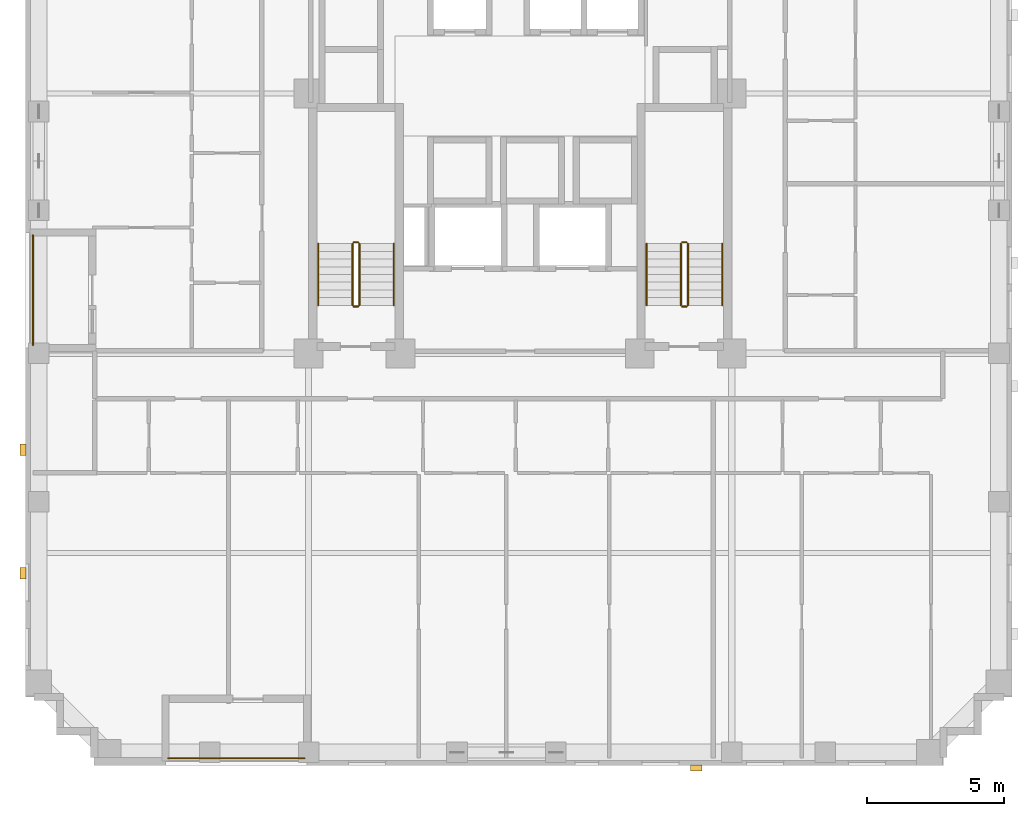
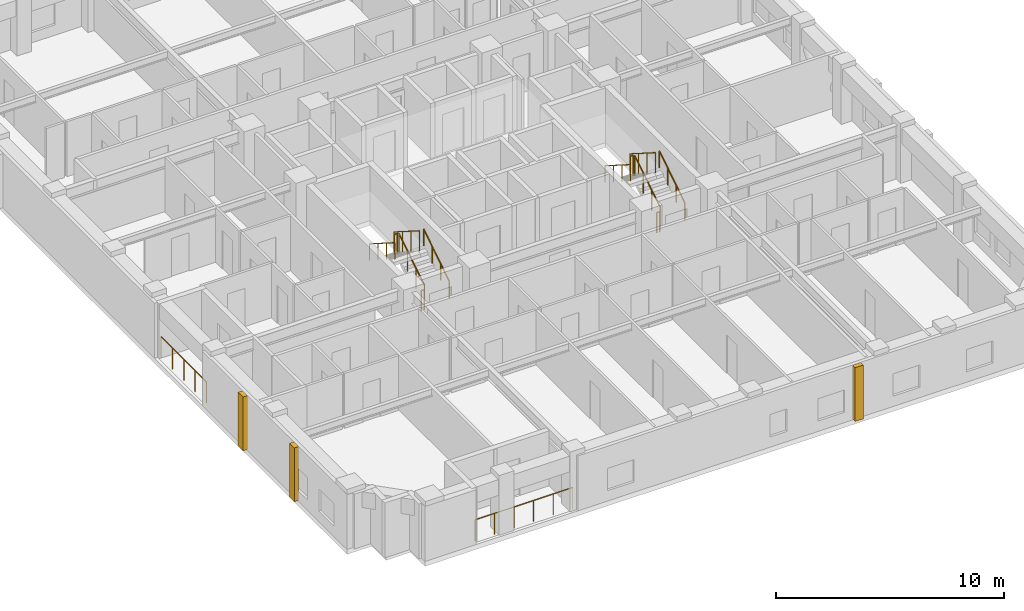
# One storey, part 11 of 12: 14 railings, 3 coverings.
"""IFC4 building model written with IfcOpenShell, lengths in metres."""

from ifc_helpers import new_model, si_unit, derived_unit, direction, frame, origin, origin_2d, place, context, subcontext, project, spatial, rectangle, circle, extrude, material, layer, layer_set, type_object, element, save


model = new_model("IFC4")

# Units and contexts
model_context = context("Model", 3, precision=1e-05, world=origin(), true_north=direction((0.0, 1.0)))
body_context = subcontext(model_context, "Body", "Model", "MODEL_VIEW")
ifc_project = project(units=[si_unit("LENGTHUNIT", "METRE"), si_unit("AREAUNIT", "SQUARE_METRE"), si_unit("VOLUMEUNIT", "CUBIC_METRE"), si_unit("PLANEANGLEUNIT", "RADIAN"), si_unit("MASSUNIT", "GRAM", prefix="KILO"), derived_unit("THERMALTRANSMITTANCEUNIT", [(si_unit("MASSUNIT", "GRAM", prefix="KILO"), 1), (si_unit("TIMEUNIT", "SECOND"), -3), (si_unit("THERMODYNAMICTEMPERATUREUNIT", "KELVIN"), -1)])], contexts=[model_context])

# Site, building, storey
site_placement = place(None, origin())
site = spatial("IfcSite", under=ifc_project, at=site_placement, CompositionType="ELEMENT")
building_placement = place(site_placement, origin())
building = spatial("IfcBuilding", under=site, at=building_placement, Name="Korrvale Station Residences", CompositionType="ELEMENT")
storey_placement = place(building_placement, frame((0.0, 0.0, 103.89990234375)))
storey = spatial("IfcBuildingStorey", under=building, at=storey_placement, Name="L29", CompositionType="ELEMENT", Elevation=103.89990234375)

# Coverings
ifc_material_1 = material(Name="Architectural precast concrete C45/55", Category="concrete")
ifc_layer = layer(ifc_material_1, 0.219970703125, Name="Architectural precast concrete C45/55")
ifc_layer_set = layer_set([ifc_layer], Name="Architectural precast concrete C45/55")
covering_type = type_object("IfcCoveringType", Name="COV-PIER-400", PredefinedType="CLADDING", material=ifc_layer_set)
for number, where, z_axis, x_axis, name in (
    (1, (31.89990234375, -0.090087890625, 0.025390625), (0.0, 0.0, 1.0), (1.0, 0.0, 0.0), "L29 Architectural Precast Facade Pier 01"),
    (2, (7.409912109375, 7.0, 0.025390625), (0.0, 0.0, 1.0), (0.0, 1.0, 0.0), "L29 Architectural Precast Facade Pier 04"),
    (3, (7.409912109375, 11.5, 0.025390625), (0.0, 0.0, 1.0), (0.0, 1.0, 0.0), "L29 Architectural Precast Facade Pier 05"),
):
    element("IfcCovering", number, at=place(storey_placement, frame(where, z_axis=z_axis, x_axis=x_axis)), inside=storey, type_object=covering_type, Name=name, PredefinedType="CLADDING", context=body_context, shape_type="SweptSolid", body=[
        extrude(rectangle(XDim=0.419921875, YDim=0.219970703125, at=origin_2d()), origin(), (0.0, 0.0, 1.0), 2.889892578125),
    ])

# Railings
ifc_material_2 = material(Name="Powder-coated aluminium picket loggia guard", Category="aluminium")
railing_type_1 = type_object("IfcRailingType", Name="RLG-BAL-1150", PredefinedType="GUARDRAIL", material=ifc_material_2)
railing_1_placement = place(storey_placement, frame((12.699951171875, 0.27001953125, 0.0)))
element("IfcRailing", 4, at=railing_1_placement, inside=storey, type_object=railing_type_1, Name="L29 Recessed Loggia Guardrail BAL-L29-S1", PredefinedType="GUARDRAIL", context=body_context, shape_type="SweptSolid", body=[
    extrude(circle(Radius=0.02392578125, at=origin_2d()), frame((0.0, 0.0, 1.1259765625), z_axis=(1.0, 0.0, 0.0), x_axis=(0.0, 1.0, 0.0)), (0.0, 0.0, 1.0), 4.949951171875),
    extrude(circle(Radius=0.02099609375, at=origin_2d()), origin(), (0.0, 0.0, 1.0), 1.101806640625),
    extrude(circle(Radius=0.02099609375, at=origin_2d()), frame((0.989990234375, 0.0, 0.0)), (0.0, 0.0, 1.0), 1.101806640625),
    extrude(circle(Radius=0.02099609375, at=origin_2d()), frame((1.97998046875, 0.0, 0.0)), (0.0, 0.0, 1.0), 1.101806640625),
    extrude(circle(Radius=0.02099609375, at=origin_2d()), frame((2.969970703125, 0.0, 0.0)), (0.0, 0.0, 1.0), 1.101806640625),
    extrude(circle(Radius=0.02099609375, at=origin_2d()), frame((3.9599609375, 0.0, 0.0)), (0.0, 0.0, 1.0), 1.101806640625),
    extrude(circle(Radius=0.02099609375, at=origin_2d()), frame((4.949951171875, 0.0, 0.0)), (0.0, 0.0, 1.0), 1.101806640625),
])
railing_2_placement = place(storey_placement, frame((7.77001953125, 15.300048828125, 0.0)))
element("IfcRailing", 5, at=railing_2_placement, inside=storey, type_object=railing_type_1, Name="L29 Recessed Loggia Guardrail BAL-L29-W1", PredefinedType="GUARDRAIL", context=body_context, shape_type="SweptSolid", body=[
    extrude(circle(Radius=0.02392578125, at=origin_2d()), frame((0.0, 0.0, 1.1259765625), z_axis=(0.0, 1.0, 0.0), x_axis=(-1.0, 0.0, 0.0)), (0.0, 0.0, 1.0), 4.0),
    extrude(circle(Radius=0.02099609375, at=origin_2d()), origin(), (0.0, 0.0, 1.0), 1.101806640625),
    extrude(circle(Radius=0.02099609375, at=origin_2d()), frame((0.0, 1.0, 0.0)), (0.0, 0.0, 1.0), 1.101806640625),
    extrude(circle(Radius=0.02099609375, at=origin_2d()), frame((0.0, 2.0, 0.0)), (0.0, 0.0, 1.0), 1.101806640625),
    extrude(circle(Radius=0.02099609375, at=origin_2d()), frame((0.0, 3.0, 0.0)), (0.0, 0.0, 1.0), 1.101806640625),
    extrude(circle(Radius=0.02099609375, at=origin_2d()), frame((0.0, 4.0, 0.0)), (0.0, 0.0, 1.0), 1.101806640625),
])
ifc_material_3 = material(Name="Brushed stainless-steel continuous stair handrail", Category="steel")
railing_type_2 = type_object("IfcRailingType", Name="RLG-SHND-900", PredefinedType="HANDRAIL", material=ifc_material_3)
railing_3_placement = place(storey_placement, frame((20.89990234375, 16.75, 0.177978515625)))
element("IfcRailing", 6, at=railing_3_placement, inside=storey, type_object=railing_type_2, Name="L29 ST-1 stair handrail 1", PredefinedType="HANDRAIL", context=body_context, shape_type="SweptSolid", body=[
    extrude(circle(Radius=0.02392578125, at=origin_2d()), frame((0.0, 0.0, 0.8759765625), z_axis=(0.0, 0.8442293374, 0.53598211339), x_axis=(-1.0, 0.0, 0.0)), (0.0, 0.0, 1.0), 2.6533203125),
    extrude(circle(Radius=0.02099609375, at=origin_2d()), origin(), (0.0, 0.0, 1.0), 0.851806640625),
    extrude(circle(Radius=0.02099609375, at=origin_2d()), frame((0.0, 0.74658203125, 0.47412109375)), (0.0, 0.0, 1.0), 0.851806640625),
    extrude(circle(Radius=0.02099609375, at=origin_2d()), frame((0.0, 1.493408203125, 0.947998046875)), (0.0, 0.0, 1.0), 0.851806640625),
    extrude(circle(Radius=0.02099609375, at=origin_2d()), frame((0.0, 2.239990234375, 1.422119140625)), (0.0, 0.0, 1.0), 0.851806640625),
])
railing_4_placement = place(storey_placement, frame((18.14990234375, 18.989990234375, 1.77783203125)))
element("IfcRailing", 7, at=railing_4_placement, inside=storey, type_object=railing_type_2, Name="L29 ST-1 stair handrail 2", PredefinedType="HANDRAIL", context=body_context, shape_type="SweptSolid", body=[
    extrude(circle(Radius=0.02392578125, at=origin_2d()), frame((0.0, 0.0, 0.8759765625), z_axis=(0.0, -0.84418770128, 0.536047689118), x_axis=(1.0, 0.0, 0.0)), (0.0, 0.0, 1.0), 2.6533203125),
    extrude(circle(Radius=0.02099609375, at=origin_2d()), origin(), (0.0, 0.0, 1.0), 0.851806640625),
    extrude(circle(Radius=0.02099609375, at=origin_2d()), frame((0.0, -0.74658203125, 0.47412109375)), (0.0, 0.0, 1.0), 0.851806640625),
    extrude(circle(Radius=0.02099609375, at=origin_2d()), frame((0.0, -1.493408203125, 0.9482421875)), (0.0, 0.0, 1.0), 0.851806640625),
    extrude(circle(Radius=0.02099609375, at=origin_2d()), frame((0.0, -2.239990234375, 1.42236328125)), (0.0, 0.0, 1.0), 0.851806640625),
])
railing_5_placement = place(storey_placement, frame((32.85009765625, 16.75, 0.177978515625)))
element("IfcRailing", 8, at=railing_5_placement, inside=storey, type_object=railing_type_2, Name="L29 ST-2 stair handrail 1", PredefinedType="HANDRAIL", context=body_context, shape_type="SweptSolid", body=[
    extrude(circle(Radius=0.02392578125, at=origin_2d()), frame((0.0, 0.0, 0.8759765625), z_axis=(0.0, 0.8442293374, 0.53598211339), x_axis=(-1.0, 0.0, 0.0)), (0.0, 0.0, 1.0), 2.6533203125),
    extrude(circle(Radius=0.02099609375, at=origin_2d()), origin(), (0.0, 0.0, 1.0), 0.851806640625),
    extrude(circle(Radius=0.02099609375, at=origin_2d()), frame((0.0, 0.74658203125, 0.47412109375)), (0.0, 0.0, 1.0), 0.851806640625),
    extrude(circle(Radius=0.02099609375, at=origin_2d()), frame((0.0, 1.493408203125, 0.947998046875)), (0.0, 0.0, 1.0), 0.851806640625),
    extrude(circle(Radius=0.02099609375, at=origin_2d()), frame((0.0, 2.239990234375, 1.422119140625)), (0.0, 0.0, 1.0), 0.851806640625),
])
railing_6_placement = place(storey_placement, frame((30.10009765625, 18.989990234375, 1.77783203125)))
element("IfcRailing", 9, at=railing_6_placement, inside=storey, type_object=railing_type_2, Name="L29 ST-2 stair handrail 2", PredefinedType="HANDRAIL", context=body_context, shape_type="SweptSolid", body=[
    extrude(circle(Radius=0.02392578125, at=origin_2d()), frame((0.0, 0.0, 0.8759765625), z_axis=(0.0, -0.84418770128, 0.536047689118), x_axis=(1.0, 0.0, 0.0)), (0.0, 0.0, 1.0), 2.6533203125),
    extrude(circle(Radius=0.02099609375, at=origin_2d()), origin(), (0.0, 0.0, 1.0), 0.851806640625),
    extrude(circle(Radius=0.02099609375, at=origin_2d()), frame((0.0, -0.74658203125, 0.47412109375)), (0.0, 0.0, 1.0), 0.851806640625),
    extrude(circle(Radius=0.02099609375, at=origin_2d()), frame((0.0, -1.493408203125, 0.9482421875)), (0.0, 0.0, 1.0), 0.851806640625),
    extrude(circle(Radius=0.02099609375, at=origin_2d()), frame((0.0, -2.239990234375, 1.42236328125)), (0.0, 0.0, 1.0), 0.851806640625),
])
ifc_material_4 = material(Name="Galvanised painted tubular steel stair guard", Category="steel")
railing_type_3 = type_object("IfcRailingType", Name="RLG-STR-1100", PredefinedType="GUARDRAIL", material=ifc_material_4)
railing_7_placement = place(storey_placement, frame((19.64990234375, 16.75, 0.177978515625)))
element("IfcRailing", 10, at=railing_7_placement, inside=storey, type_object=railing_type_3, Name="L29 ST-1 stair guard 1", PredefinedType="GUARDRAIL", context=body_context, shape_type="SweptSolid", body=[
    extrude(circle(Radius=0.02392578125, at=origin_2d()), frame((0.0, 0.0, 1.076171875), z_axis=(0.0, 0.8442293374, 0.53598211339), x_axis=(-1.0, 0.0, 0.0)), (0.0, 0.0, 1.0), 2.6533203125),
    extrude(circle(Radius=0.02099609375, at=origin_2d()), origin(), (0.0, 0.0, 1.0), 1.052001953125),
    extrude(circle(Radius=0.02099609375, at=origin_2d()), frame((0.0, 0.74658203125, 0.47412109375)), (0.0, 0.0, 1.0), 1.052001953125),
    extrude(circle(Radius=0.02099609375, at=origin_2d()), frame((0.0, 1.493408203125, 0.947998046875)), (0.0, 0.0, 1.0), 1.052001953125),
    extrude(circle(Radius=0.02099609375, at=origin_2d()), frame((0.0, 2.239990234375, 1.422119140625)), (0.0, 0.0, 1.0), 1.052001953125),
])
railing_8_placement = place(storey_placement, frame((19.60009765625, 19.0400390625, 1.60009765625)))
element("IfcRailing", 11, at=railing_8_placement, inside=storey, type_object=railing_type_3, Name="L29 ST-1 stair guard 2", PredefinedType="GUARDRAIL", context=body_context, shape_type="SweptSolid", body=[
    extrude(circle(Radius=0.02392578125, at=origin_2d()), frame((0.0, 0.0, 1.076171875), z_axis=(-1.0, 0.0, 0.0), x_axis=(0.0, -1.0, 0.0)), (0.0, 0.0, 1.0), 0.150146484375),
    extrude(circle(Radius=0.02099609375, at=origin_2d()), origin(), (0.0, 0.0, 1.0), 1.052001953125),
    extrude(circle(Radius=0.02099609375, at=origin_2d()), frame((-0.150146484375, 0.0, 0.0)), (0.0, 0.0, 1.0), 1.052001953125),
])
railing_9_placement = place(storey_placement, frame((19.39990234375, 18.989990234375, 1.77783203125)))
element("IfcRailing", 12, at=railing_9_placement, inside=storey, type_object=railing_type_3, Name="L29 ST-1 stair guard 3", PredefinedType="GUARDRAIL", context=body_context, shape_type="SweptSolid", body=[
    extrude(circle(Radius=0.02392578125, at=origin_2d()), frame((0.0, 0.0, 1.076171875), z_axis=(0.0, -0.84418770128, 0.536047689118), x_axis=(1.0, 0.0, 0.0)), (0.0, 0.0, 1.0), 2.6533203125),
    extrude(circle(Radius=0.02099609375, at=origin_2d()), origin(), (0.0, 0.0, 1.0), 1.052001953125),
    extrude(circle(Radius=0.02099609375, at=origin_2d()), frame((0.0, -0.74658203125, 0.47412109375)), (0.0, 0.0, 1.0), 1.052001953125),
    extrude(circle(Radius=0.02099609375, at=origin_2d()), frame((0.0, -1.493408203125, 0.9482421875)), (0.0, 0.0, 1.0), 1.052001953125),
    extrude(circle(Radius=0.02099609375, at=origin_2d()), frame((0.0, -2.239990234375, 1.42236328125)), (0.0, 0.0, 1.0), 1.052001953125),
])
railing_10_placement = place(storey_placement, frame((19.60009765625, 16.699951171875, 0.0)))
element("IfcRailing", 13, at=railing_10_placement, inside=storey, type_object=railing_type_3, Name="L29 ST-1 stair guard 4", PredefinedType="GUARDRAIL", context=body_context, shape_type="SweptSolid", body=[
    extrude(circle(Radius=0.02392578125, at=origin_2d()), frame((0.0, 0.0, 1.076171875), z_axis=(-1.0, 0.0, 0.0), x_axis=(0.0, -1.0, 0.0)), (0.0, 0.0, 1.0), 0.150146484375),
    extrude(circle(Radius=0.02099609375, at=origin_2d()), origin(), (0.0, 0.0, 1.0), 1.052001953125),
    extrude(circle(Radius=0.02099609375, at=origin_2d()), frame((-0.150146484375, 0.0, 0.0)), (0.0, 0.0, 1.0), 1.052001953125),
])
railing_11_placement = place(storey_placement, frame((31.60009765625, 16.75, 0.177978515625)))
element("IfcRailing", 14, at=railing_11_placement, inside=storey, type_object=railing_type_3, Name="L29 ST-2 stair guard 1", PredefinedType="GUARDRAIL", context=body_context, shape_type="SweptSolid", body=[
    extrude(circle(Radius=0.02392578125, at=origin_2d()), frame((0.0, 0.0, 1.076171875), z_axis=(0.0, 0.8442293374, 0.53598211339), x_axis=(-1.0, 0.0, 0.0)), (0.0, 0.0, 1.0), 2.6533203125),
    extrude(circle(Radius=0.02099609375, at=origin_2d()), origin(), (0.0, 0.0, 1.0), 1.052001953125),
    extrude(circle(Radius=0.02099609375, at=origin_2d()), frame((0.0, 0.74658203125, 0.47412109375)), (0.0, 0.0, 1.0), 1.052001953125),
    extrude(circle(Radius=0.02099609375, at=origin_2d()), frame((0.0, 1.493408203125, 0.947998046875)), (0.0, 0.0, 1.0), 1.052001953125),
    extrude(circle(Radius=0.02099609375, at=origin_2d()), frame((0.0, 2.239990234375, 1.422119140625)), (0.0, 0.0, 1.0), 1.052001953125),
])
railing_12_placement = place(storey_placement, frame((31.550048828125, 19.0400390625, 1.60009765625)))
element("IfcRailing", 15, at=railing_12_placement, inside=storey, type_object=railing_type_3, Name="L29 ST-2 stair guard 2", PredefinedType="GUARDRAIL", context=body_context, shape_type="SweptSolid", body=[
    extrude(circle(Radius=0.02392578125, at=origin_2d()), frame((0.0, 0.0, 1.076171875), z_axis=(-1.0, 0.0, 0.0), x_axis=(0.0, -1.0, 0.0)), (0.0, 0.0, 1.0), 0.150146484375),
    extrude(circle(Radius=0.02099609375, at=origin_2d()), origin(), (0.0, 0.0, 1.0), 1.052001953125),
    extrude(circle(Radius=0.02099609375, at=origin_2d()), frame((-0.150146484375, 0.0, 0.0)), (0.0, 0.0, 1.0), 1.052001953125),
])
railing_13_placement = place(storey_placement, frame((31.35009765625, 18.989990234375, 1.77783203125)))
element("IfcRailing", 16, at=railing_13_placement, inside=storey, type_object=railing_type_3, Name="L29 ST-2 stair guard 3", PredefinedType="GUARDRAIL", context=body_context, shape_type="SweptSolid", body=[
    extrude(circle(Radius=0.02392578125, at=origin_2d()), frame((0.0, 0.0, 1.076171875), z_axis=(0.0, -0.84418770128, 0.536047689118), x_axis=(1.0, 0.0, 0.0)), (0.0, 0.0, 1.0), 2.6533203125),
    extrude(circle(Radius=0.02099609375, at=origin_2d()), origin(), (0.0, 0.0, 1.0), 1.052001953125),
    extrude(circle(Radius=0.02099609375, at=origin_2d()), frame((0.0, -0.74658203125, 0.47412109375)), (0.0, 0.0, 1.0), 1.052001953125),
    extrude(circle(Radius=0.02099609375, at=origin_2d()), frame((0.0, -1.493408203125, 0.9482421875)), (0.0, 0.0, 1.0), 1.052001953125),
    extrude(circle(Radius=0.02099609375, at=origin_2d()), frame((0.0, -2.239990234375, 1.42236328125)), (0.0, 0.0, 1.0), 1.052001953125),
])
railing_14_placement = place(storey_placement, frame((31.550048828125, 16.699951171875, 0.0)))
element("IfcRailing", 17, at=railing_14_placement, inside=storey, type_object=railing_type_3, Name="L29 ST-2 stair guard 4", PredefinedType="GUARDRAIL", context=body_context, shape_type="SweptSolid", body=[
    extrude(circle(Radius=0.02392578125, at=origin_2d()), frame((0.0, 0.0, 1.076171875), z_axis=(-1.0, 0.0, 0.0), x_axis=(0.0, -1.0, 0.0)), (0.0, 0.0, 1.0), 0.150146484375),
    extrude(circle(Radius=0.02099609375, at=origin_2d()), origin(), (0.0, 0.0, 1.0), 1.052001953125),
    extrude(circle(Radius=0.02099609375, at=origin_2d()), frame((-0.150146484375, 0.0, 0.0)), (0.0, 0.0, 1.0), 1.052001953125),
])

save(model, "model.ifc")
